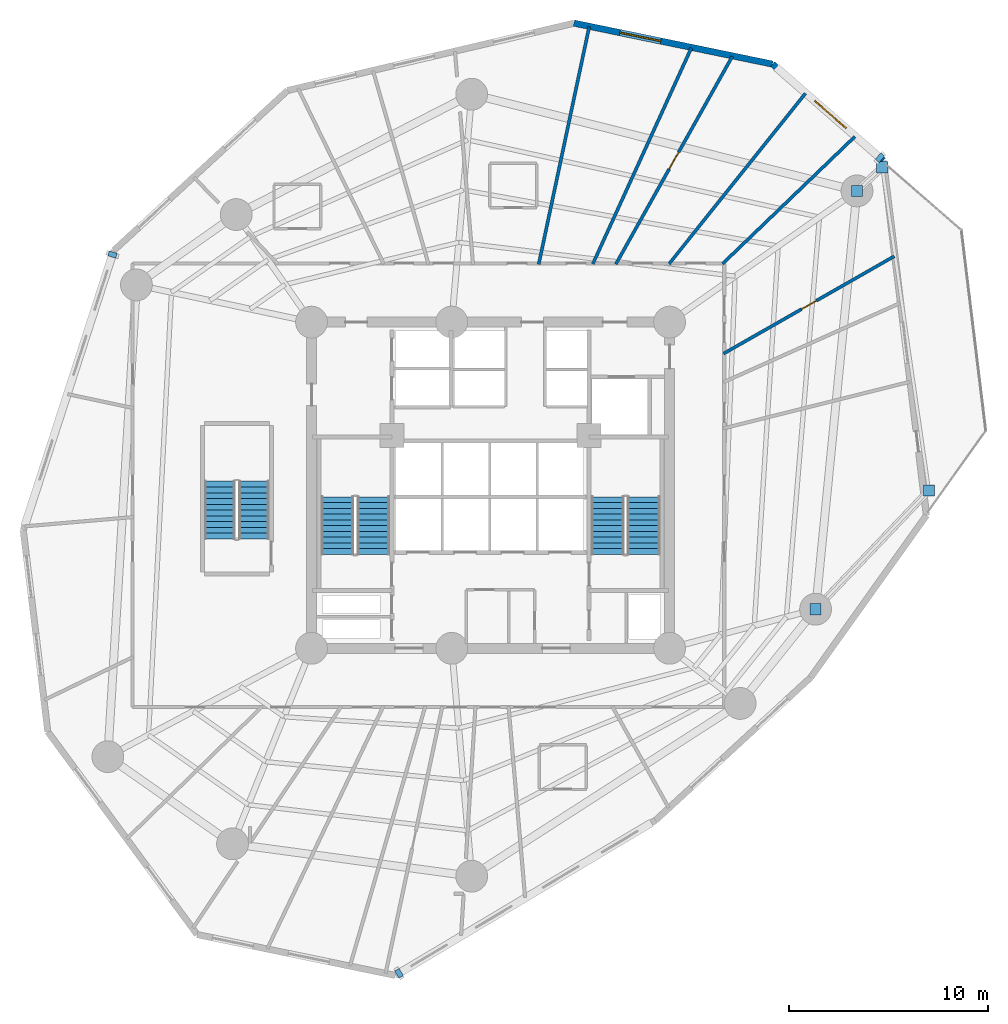
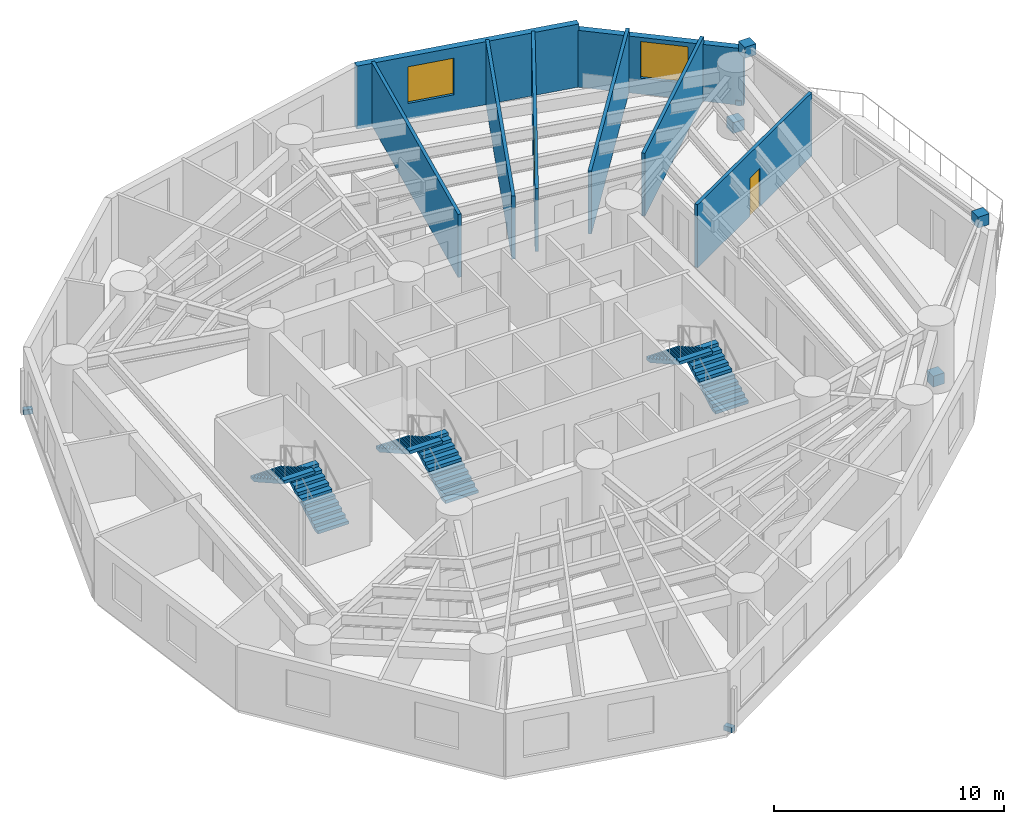
# One storey, part 7 of 10: 8 walls, 7 discrete accessories, 6 stair flights, 2 doors, 2 windows, 4 openings, 3 elements without a shape of their own.
"""IFC4 building model written with IfcOpenShell, lengths in metres."""

from ifc_helpers import new_model, si_unit, direction, frame, frame_2d, origin, origin_with_axes, origin_2d, place, context, subcontext, project, spatial, polyline, rectangle, outline, extrude, source, transform, mapped, material, layer, layer_set, type_object, element, fill, aggregate, save


model = new_model("IFC4")

# Units and contexts
model_context = context("Model", 3, precision=1e-05, world=origin(), true_north=direction((0.0, 1.0)))
body_context = subcontext(model_context, "Body", "Model", "MODEL_VIEW")
ifc_project = project(units=[si_unit("LENGTHUNIT", "METRE"), si_unit("AREAUNIT", "SQUARE_METRE"), si_unit("VOLUMEUNIT", "CUBIC_METRE"), si_unit("PLANEANGLEUNIT", "RADIAN"), si_unit("MASSUNIT", "GRAM", prefix="KILO")], contexts=[model_context])

# Site, building, storey
site_placement = place(None, origin())
site = spatial("IfcSite", under=ifc_project, at=site_placement, CompositionType="ELEMENT")
building_placement = place(site_placement, origin())
building = spatial("IfcBuilding", under=site, at=building_placement, Name="Karkom Vertical University and Central Library", CompositionType="ELEMENT")
storey_placement = place(building_placement, frame((0.0, 0.0, 66.10009765625)))
storey = spatial("IfcBuildingStorey", under=building, at=storey_placement, Name="L17", CompositionType="ELEMENT", Elevation=66.10009765625)

# Wall, opening, window
ifc_material_1 = material(Name="Brick-faced precast concrete C45/55", Category="masonry")
ifc_layer_1 = layer(ifc_material_1, 0.320068359375)
ifc_layer_set_1 = layer_set([ifc_layer_1], Name="Brick-faced precast concrete C45/55")
wall_type_1 = type_object("IfcWallType", Name="ENV-WL-BRK-320", PredefinedType="SOLIDWALL", material=ifc_layer_set_1)
wall_1_placement = place(storey_placement, frame((48.24267578125, 42.81982421875, 0.0), z_axis=(0.0, 0.0, 1.0), x_axis=(-0.753916755465, 0.656969958087, 0.0)))
wall_1 = element("IfcWall", 1, at=wall_1_placement, inside=storey, type_object=wall_type_1, Name="Level 17 Brick-Faced Precast Facade Wall 09", PredefinedType="SOLIDWALL", context=body_context, shape_type="SweptSolid", body=[
    extrude(rectangle(XDim=7.383544921875, YDim=0.320068359375, at=frame_2d((3.69189453125, 0.0))), origin(), (0.0, 0.0, 1.0), 3.02001953125),
])
opening_1_placement = place(wall_1_placement, frame((2.470458984375, 0.0, 0.85009765625)))
opening_1 = element("IfcOpeningElement", 2, at=opening_1_placement, cuts=wall_1, Name="Opening WN-03", PredefinedType="OPENING", context=body_context, shape_type="SweptSolid", body=[
    extrude(rectangle(XDim=2.10009765625, YDim=1.949951171875, at=frame_2d((1.050048828125, 0.97509765625))), frame((0.0, 0.169921875, 0.0), z_axis=(0.0, -1.0, 0.0), x_axis=(1.0, 0.0, 0.0)), (0.0, 0.0, 1.0), 0.340087890625),
])
ifc_material_2 = material(Name="Aluminium thermal-break frame with solar-control IGU", Category="aluminium")
window_type = type_object("IfcWindowType", Name="ENV-WIN-WN-03", PartitioningType="SINGLE_PANEL", PredefinedType="WINDOW", material=ifc_material_2)
shared_shape_1 = source(origin_with_axes(), body_context, "Body", "SweptSolid", [
    extrude(rectangle(XDim=2.10009765625, YDim=1.949951171875, at=frame_2d((1.050048828125, 0.97509765625))), frame((0.0, 0.030029296875, 0.0), z_axis=(0.0, -1.0, 0.0), x_axis=(1.0, 0.0, 0.0)), (0.0, 0.0, 1.0), 0.06005859375),
])
window_1_placement = place(opening_1_placement, origin())
window_1 = element("IfcWindow", 3, at=window_1_placement, inside=storey, type_object=window_type, Name="Level 17 Punched Window 9.1", OverallHeight=1.949951171875, OverallWidth=2.10009765625, PartitioningType="SINGLE_PANEL", PredefinedType="WINDOW", context=body_context, shape_type="MappedRepresentation", body=[
    mapped(shared_shape_1, transform((0.0, 0.0, 0.0), scale=1.0)),
])
fill(opening_1, window_1)

wall_2_placement = place(storey_placement, frame((42.676025390625, 47.670654296875, 0.0), z_axis=(0.0, 0.0, 1.0), x_axis=(-0.979362200274, 0.20211303935, 0.0)))
wall_2 = element("IfcWall", 4, at=wall_2_placement, inside=storey, type_object=wall_type_1, Name="Level 17 Brick-Faced Precast Facade Wall 10", PredefinedType="SOLIDWALL", context=body_context, shape_type="SweptSolid", body=[
    extrude(rectangle(XDim=10.195068359375, YDim=0.320068359375, at=frame_2d((5.09765625, 0.0))), origin(), (0.0, 0.0, 1.0), 3.349853515625),
])
opening_2_placement = place(wall_2_placement, frame((5.73779296875, 0.0, 0.85009765625)))
opening_2 = element("IfcOpeningElement", 5, at=opening_2_placement, cuts=wall_2, Name="Opening WN-03", PredefinedType="OPENING", context=body_context, shape_type="SweptSolid", body=[
    extrude(rectangle(XDim=2.10009765625, YDim=1.949951171875, at=frame_2d((1.050048828125, 0.97509765625))), frame((0.0, 0.169921875, 0.0), z_axis=(0.0, -1.0, 0.0), x_axis=(1.0, 0.0, 0.0)), (0.0, 0.0, 1.0), 0.340087890625),
])
window_2_placement = place(opening_2_placement, origin())
window_2 = element("IfcWindow", 6, at=window_2_placement, inside=storey, type_object=window_type, Name="Level 17 Punched Window 10.1", OverallHeight=1.949951171875, OverallWidth=2.10009765625, PartitioningType="SINGLE_PANEL", PredefinedType="WINDOW", context=body_context, shape_type="MappedRepresentation", body=[
    mapped(shared_shape_1, transform((0.0, 0.0, 0.0), scale=1.0)),
])
fill(opening_2, window_2)

# Wall
ifc_material_3 = material(Name="Insulated metal-stud drywall 160mm", Category="gypsum")
ifc_layer_2 = layer(ifc_material_3, 0.159912109375)
ifc_layer_set_2 = layer_set([ifc_layer_2], Name="Insulated metal-stud drywall 160mm")
wall_type_2 = type_object("IfcWallType", Name="INT-WL-COR-160", PredefinedType="PARTITIONING", material=ifc_layer_set_2)
wall_3_placement = place(storey_placement, frame((30.92138671875, 37.60595703125, 0.0), z_axis=(0.0, 0.0, 1.0), x_axis=(0.207881716817, 0.978153971424, 0.0)))
element("IfcWall", 7, at=wall_3_placement, inside=storey, type_object=wall_type_2, Name="Level 17 Interior Partition Wall L17-PW-022", PredefinedType="PARTITIONING", context=body_context, shape_type="SweptSolid", body=[
    extrude(rectangle(XDim=12.2080078125, YDim=0.159912109375, at=frame_2d((6.10400390625, 0.0))), origin(), (0.0, 0.0, 1.0), 3.349853515625),
])

# Wall, opening, door
wall_4_placement = place(storey_placement, frame((34.797119140625, 37.610595703125, 0.0), z_axis=(0.0, 0.0, 1.0), x_axis=(0.488977567901, 0.872296359094, 0.0)))
wall_4 = element("IfcWall", 8, at=wall_4_placement, inside=storey, type_object=wall_type_2, Name="Level 17 Interior Partition Wall L17-PW-020", PredefinedType="PARTITIONING", context=body_context, shape_type="SweptSolid", body=[
    extrude(rectangle(XDim=11.978515625, YDim=0.159912109375, at=frame_2d((5.9892578125, 0.0))), origin(), (0.0, 0.0, 1.0), 3.349853515625),
])
opening_3_placement = place(wall_4_placement, frame((5.489013671875, 0.0, 0.0)))
opening_3 = element("IfcOpeningElement", 9, at=opening_3_placement, cuts=wall_4, Name="Opening FD-RM2", PredefinedType="OPENING", context=body_context, shape_type="SweptSolid", body=[
    extrude(rectangle(XDim=0.9599609375, YDim=2.14990234375, at=frame_2d((0.47998046875, 1.074951171875))), frame((0.0, 0.08984375, 0.0), z_axis=(0.0, -1.0, 0.0), x_axis=(1.0, 0.0, 0.0)), (0.0, 0.0, 1.0), 0.179931640625),
])
ifc_material_4 = material(Name="Fire-rated oak veneer door", Category="wood")
door_type_1 = type_object("IfcDoorType", Name="INT-DR-FRM2", OperationType="NOTDEFINED", PredefinedType="DOOR", material=ifc_material_4)
shared_shape_2 = source(origin_with_axes(), body_context, "Body", "SweptSolid", [
    extrude(rectangle(XDim=0.9599609375, YDim=2.14990234375, at=frame_2d((0.47998046875, 1.074951171875))), frame((0.0, 0.02490234375, 0.0), z_axis=(0.0, -1.0, 0.0), x_axis=(1.0, 0.0, 0.0)), (0.0, 0.0, 1.0), 0.050048828125),
])
door_1_placement = place(opening_3_placement, origin())
door_1 = element("IfcDoor", 10, at=door_1_placement, inside=storey, type_object=door_type_1, Name="Level 17 Room Entry Door 170", OperationType="SINGLE_SWING_RIGHT", OverallHeight=2.14990234375, OverallWidth=0.9599609375, PredefinedType="DOOR", context=body_context, shape_type="MappedRepresentation", body=[
    mapped(shared_shape_2, transform((0.0, 0.0, 0.0), scale=1.0)),
])
fill(opening_3, door_1)

# Walls
wall_5_placement = place(storey_placement, frame((33.639892578125, 37.622802734375, 0.0), z_axis=(0.0, 0.0, 1.0), x_axis=(0.41503042051, 0.90980753462, 0.0)))
element("IfcWall", 11, at=wall_5_placement, inside=storey, type_object=wall_type_2, Name="Level 17 Interior Partition Wall L17-PW-021", PredefinedType="PARTITIONING", context=body_context, shape_type="SweptSolid", body=[
    extrude(rectangle(XDim=11.939697265625, YDim=0.159912109375, at=frame_2d((5.9697265625, 0.0))), origin(), (0.0, 0.0, 1.0), 3.349853515625),
])
wall_6_placement = place(storey_placement, frame((37.474609375, 37.626708984375, 0.0), z_axis=(0.0, 0.0, 1.0), x_axis=(0.62453496585, 0.780996847901, 0.0)))
element("IfcWall", 12, at=wall_6_placement, inside=storey, type_object=wall_type_2, Name="Level 17 Interior Partition Wall L17-PW-019", PredefinedType="PARTITIONING", context=body_context, shape_type="SweptSolid", body=[
    extrude(rectangle(XDim=10.97412109375, YDim=0.159912109375, at=frame_2d((5.487060546875, 0.0))), origin(), (0.0, 0.0, 1.0), 3.349853515625),
])

# Wall, opening, door
wall_7_placement = place(storey_placement, frame((40.2109375, 33.11279296875, 0.0), z_axis=(0.0, 0.0, 1.0), x_axis=(0.868569695906, 0.49556703215, 0.0)))
wall_7 = element("IfcWall", 13, at=wall_7_placement, inside=storey, type_object=wall_type_2, Name="Level 17 Interior Partition Wall L17-PW-017", PredefinedType="PARTITIONING", context=body_context, shape_type="SweptSolid", body=[
    extrude(rectangle(XDim=9.885986328125, YDim=0.159912109375, at=frame_2d((4.94287109375, 0.0))), origin(), (0.0, 0.0, 1.0), 3.349853515625),
])
opening_4_placement = place(wall_7_placement, frame((4.51318359375, 0.0, 0.0)))
opening_4 = element("IfcOpeningElement", 14, at=opening_4_placement, cuts=wall_7, Name="Opening FD-BTH2", PredefinedType="OPENING", context=body_context, shape_type="SweptSolid", body=[
    extrude(rectangle(XDim=0.860107421875, YDim=2.0400390625, at=frame_2d((0.43017578125, 1.02001953125))), frame((0.0, 0.08984375, 0.0), z_axis=(0.0, -1.0, 0.0), x_axis=(1.0, 0.0, 0.0)), (0.0, 0.0, 1.0), 0.179931640625),
])
ifc_material_5 = material(Name="Fire-rated moisture-resistant oak door", Category="wood")
door_type_2 = type_object("IfcDoorType", Name="INT-DR-FBTH2", OperationType="NOTDEFINED", PredefinedType="DOOR", material=ifc_material_5)
shared_shape_3 = source(origin_with_axes(), body_context, "Body", "SweptSolid", [
    extrude(rectangle(XDim=0.860107421875, YDim=2.0400390625, at=frame_2d((0.43017578125, 1.02001953125))), frame((0.0, 0.02490234375, 0.0), z_axis=(0.0, -1.0, 0.0), x_axis=(1.0, 0.0, 0.0)), (0.0, 0.0, 1.0), 0.050048828125),
])
door_2_placement = place(opening_4_placement, origin())
door_2 = element("IfcDoor", 15, at=door_2_placement, inside=storey, type_object=door_type_2, Name="Level 17 Academic Servery Tea Pantry Entry Door", OperationType="SINGLE_SWING_RIGHT", OverallHeight=2.0400390625, OverallWidth=0.860107421875, PredefinedType="DOOR", context=body_context, shape_type="MappedRepresentation", body=[
    mapped(shared_shape_3, transform((0.0, 0.0, 0.0), scale=1.0)),
])
fill(opening_4, door_2)

# Wall
wall_8_placement = place(storey_placement, frame((40.1611328125, 37.629150390625, 0.0), z_axis=(0.0, 0.0, 1.0), x_axis=(0.720839161992, 0.693102375222, 0.0)))
element("IfcWall", 16, at=wall_8_placement, inside=storey, type_object=wall_type_2, Name="Level 17 Interior Partition Wall L17-PW-018", PredefinedType="PARTITIONING", context=body_context, shape_type="SweptSolid", body=[
    extrude(rectangle(XDim=9.2333984375, YDim=0.159912109375, at=frame_2d((4.61669921875, 0.0))), origin(), (0.0, 0.0, 1.0), 3.349853515625),
])

# Stair, stair flights
ifc_material_6 = material(Name="Concrete C45/55", Category="concrete")
stair_type_1 = type_object("IfcStairType", Name="INT-STR-ST-MAIN", PredefinedType="HALF_TURN_STAIR", material=ifc_material_6)
stair_1_placement = place(storey_placement, origin())
stair_1 = element("IfcStair", 17, at=stair_1_placement, inside=storey, type_object=stair_type_1, Name="Level 17 Tower Protected Exit Stair ST-1", PredefinedType="HALF_TURN_STAIR")
stair_flight_type_1 = type_object("IfcStairFlightType", Name="INT-SFL-ST-MAIN", PredefinedType="STRAIGHT", material=ifc_material_6)
stair_flight_1_placement = place(storey_placement, frame((22.614990234375, 23.02001953125, 0.0), z_axis=(0.0, 0.0, 1.0), x_axis=(0.0, 1.0, 0.0)))
stair_flight_1 = element("IfcStairFlight", 18, at=stair_flight_1_placement, type_object=stair_flight_type_1, Name="ST-1 flight 1", NumberOfRisers=11, NumberOfTreads=10, PredefinedType="STRAIGHT", RiserHeight=0.163636364, TreadLength=0.29, context=body_context, shape_type="SweptSolid", body=[
    extrude(outline(polyline([(0.0, 0.0), (0.0, 0.16357421875), (0.2900390625, 0.16357421875), (0.2900390625, 0.327392578125), (0.580078125, 0.327392578125), (0.580078125, 0.490966796875), (0.8701171875, 0.490966796875), (0.8701171875, 0.654541015625), (1.159912109375, 0.654541015625), (1.159912109375, 0.818115234375), (1.449951171875, 0.818115234375), (1.449951171875, 0.98193359375), (1.739990234375, 0.98193359375), (1.739990234375, 1.1455078125), (2.030029296875, 1.1455078125), (2.030029296875, 1.30908203125), (2.320068359375, 1.30908203125), (2.320068359375, 1.47265625), (2.610107421875, 1.47265625), (2.610107421875, 1.636474609375), (2.89990234375, 1.636474609375), (2.89990234375, 1.800048828125), (2.89990234375, 1.46435546875), (0.304931640625, 0.0), (0.0, 0.0)])), frame((0.0, 0.824951171875, 0.0), z_axis=(0.0, -1.0, 0.0), x_axis=(1.0, 0.0, 0.0)), (0.0, 0.0, 1.0), 1.64990234375),
])
stair_flight_2_placement = place(storey_placement, frame((20.804931640625, 25.919921875, 1.7998046875), z_axis=(0.0, 0.0, 1.0), x_axis=(0.0, -1.0, 0.0)))
stair_flight_2 = element("IfcStairFlight", 19, at=stair_flight_2_placement, type_object=stair_flight_type_1, Name="ST-1 flight 2", NumberOfRisers=11, NumberOfTreads=10, PredefinedType="STRAIGHT", RiserHeight=0.163636364, TreadLength=0.29, context=body_context, shape_type="SweptSolid", body=[
    extrude(outline(polyline([(0.0, 0.0), (0.0, 0.16357421875), (0.2900390625, 0.16357421875), (0.2900390625, 0.327392578125), (0.580078125, 0.327392578125), (0.580078125, 0.490966796875), (0.8701171875, 0.490966796875), (0.8701171875, 0.654541015625), (1.159912109375, 0.654541015625), (1.159912109375, 0.818115234375), (1.449951171875, 0.818115234375), (1.449951171875, 0.98193359375), (1.739990234375, 0.98193359375), (1.739990234375, 1.1455078125), (2.030029296875, 1.1455078125), (2.030029296875, 1.30908203125), (2.320068359375, 1.30908203125), (2.320068359375, 1.47265625), (2.610107421875, 1.47265625), (2.610107421875, 1.636474609375), (2.89990234375, 1.636474609375), (2.89990234375, 1.800048828125), (2.89990234375, 1.46435546875), (0.304931640625, 0.0), (0.0, 0.0)])), frame((0.0, 0.824951171875, 0.0), z_axis=(0.0, -1.0, 0.0), x_axis=(1.0, 0.0, 0.0)), (0.0, 0.0, 1.0), 1.64990234375),
])
aggregate(stair_1, [stair_flight_1, stair_flight_2])

stair_2_placement = place(storey_placement, origin())
stair_2 = element("IfcStair", 20, at=stair_2_placement, inside=storey, type_object=stair_type_1, Name="Level 17 Tower Protected Exit Stair ST-2", PredefinedType="HALF_TURN_STAIR")
stair_flight_3_placement = place(storey_placement, frame((36.195068359375, 23.02001953125, 0.0), z_axis=(0.0, 0.0, 1.0), x_axis=(0.0, 1.0, 0.0)))
stair_flight_3 = element("IfcStairFlight", 21, at=stair_flight_3_placement, type_object=stair_flight_type_1, Name="ST-2 flight 1", NumberOfRisers=11, NumberOfTreads=10, PredefinedType="STRAIGHT", RiserHeight=0.163636364, TreadLength=0.29, context=body_context, shape_type="SweptSolid", body=[
    extrude(outline(polyline([(0.0, 0.0), (0.0, 0.16357421875), (0.2900390625, 0.16357421875), (0.2900390625, 0.327392578125), (0.580078125, 0.327392578125), (0.580078125, 0.490966796875), (0.8701171875, 0.490966796875), (0.8701171875, 0.654541015625), (1.159912109375, 0.654541015625), (1.159912109375, 0.818115234375), (1.449951171875, 0.818115234375), (1.449951171875, 0.98193359375), (1.739990234375, 0.98193359375), (1.739990234375, 1.1455078125), (2.030029296875, 1.1455078125), (2.030029296875, 1.30908203125), (2.320068359375, 1.30908203125), (2.320068359375, 1.47265625), (2.610107421875, 1.47265625), (2.610107421875, 1.636474609375), (2.89990234375, 1.636474609375), (2.89990234375, 1.800048828125), (2.89990234375, 1.46435546875), (0.304931640625, 0.0), (0.0, 0.0)])), frame((0.0, 0.824951171875, 0.0), z_axis=(0.0, -1.0, 0.0), x_axis=(1.0, 0.0, 0.0)), (0.0, 0.0, 1.0), 1.64990234375),
])
stair_flight_4_placement = place(storey_placement, frame((34.385009765625, 25.919921875, 1.7998046875), z_axis=(0.0, 0.0, 1.0), x_axis=(0.0, -1.0, 0.0)))
stair_flight_4 = element("IfcStairFlight", 22, at=stair_flight_4_placement, type_object=stair_flight_type_1, Name="ST-2 flight 2", NumberOfRisers=11, NumberOfTreads=10, PredefinedType="STRAIGHT", RiserHeight=0.163636364, TreadLength=0.29, context=body_context, shape_type="SweptSolid", body=[
    extrude(outline(polyline([(0.0, 0.0), (0.0, 0.16357421875), (0.2900390625, 0.16357421875), (0.2900390625, 0.327392578125), (0.580078125, 0.327392578125), (0.580078125, 0.490966796875), (0.8701171875, 0.490966796875), (0.8701171875, 0.654541015625), (1.159912109375, 0.654541015625), (1.159912109375, 0.818115234375), (1.449951171875, 0.818115234375), (1.449951171875, 0.98193359375), (1.739990234375, 0.98193359375), (1.739990234375, 1.1455078125), (2.030029296875, 1.1455078125), (2.030029296875, 1.30908203125), (2.320068359375, 1.30908203125), (2.320068359375, 1.47265625), (2.610107421875, 1.47265625), (2.610107421875, 1.636474609375), (2.89990234375, 1.636474609375), (2.89990234375, 1.800048828125), (2.89990234375, 1.46435546875), (0.304931640625, 0.0), (0.0, 0.0)])), frame((0.0, 0.824951171875, 0.0), z_axis=(0.0, -1.0, 0.0), x_axis=(1.0, 0.0, 0.0)), (0.0, 0.0, 1.0), 1.64990234375),
])
aggregate(stair_2, [stair_flight_3, stair_flight_4])

stair_type_2 = type_object("IfcStairType", Name="INT-STR-ST-SEC", PredefinedType="HALF_TURN_STAIR", material=ifc_material_6)
stair_3_placement = place(storey_placement, origin())
stair_3 = element("IfcStair", 23, at=stair_3_placement, inside=storey, type_object=stair_type_2, Name="Level 17 Academic Zone Protected Exit Stair ST-3", PredefinedType="HALF_TURN_STAIR")
stair_flight_type_2 = type_object("IfcStairFlightType", Name="INT-SFL-ST-SEC", PredefinedType="STRAIGHT", material=ifc_material_6)
stair_flight_5_placement = place(storey_placement, frame((16.60498046875, 23.800048828125, 0.0), z_axis=(0.0, 0.0, 1.0), x_axis=(0.0, 1.0, 0.0)))
stair_flight_5 = element("IfcStairFlight", 24, at=stair_flight_5_placement, type_object=stair_flight_type_2, Name="ST-3 flight 1", NumberOfRisers=11, NumberOfTreads=10, PredefinedType="STRAIGHT", RiserHeight=0.163636364, TreadLength=0.29, context=body_context, shape_type="SweptSolid", body=[
    extrude(outline(polyline([(0.0, 0.0), (0.0, 0.16357421875), (0.2900390625, 0.16357421875), (0.2900390625, 0.327392578125), (0.580078125, 0.327392578125), (0.580078125, 0.490966796875), (0.8701171875, 0.490966796875), (0.8701171875, 0.654541015625), (1.159912109375, 0.654541015625), (1.159912109375, 0.818115234375), (1.449951171875, 0.818115234375), (1.449951171875, 0.98193359375), (1.739990234375, 0.98193359375), (1.739990234375, 1.1455078125), (2.030029296875, 1.1455078125), (2.030029296875, 1.30908203125), (2.320068359375, 1.30908203125), (2.320068359375, 1.47265625), (2.610107421875, 1.47265625), (2.610107421875, 1.636474609375), (2.89990234375, 1.636474609375), (2.89990234375, 1.800048828125), (2.89990234375, 1.46435546875), (0.304931640625, 0.0), (0.0, 0.0)])), frame((0.0, 0.77490234375, 0.0), z_axis=(0.0, -1.0, 0.0), x_axis=(1.0, 0.0, 0.0)), (0.0, 0.0, 1.0), 1.550048828125),
])
stair_flight_6_placement = place(storey_placement, frame((14.89501953125, 26.699951171875, 1.7998046875), z_axis=(0.0, 0.0, 1.0), x_axis=(0.0, -1.0, 0.0)))
stair_flight_6 = element("IfcStairFlight", 25, at=stair_flight_6_placement, type_object=stair_flight_type_2, Name="ST-3 flight 2", NumberOfRisers=11, NumberOfTreads=10, PredefinedType="STRAIGHT", RiserHeight=0.163636364, TreadLength=0.29, context=body_context, shape_type="SweptSolid", body=[
    extrude(outline(polyline([(0.0, 0.0), (0.0, 0.16357421875), (0.2900390625, 0.16357421875), (0.2900390625, 0.327392578125), (0.580078125, 0.327392578125), (0.580078125, 0.490966796875), (0.8701171875, 0.490966796875), (0.8701171875, 0.654541015625), (1.159912109375, 0.654541015625), (1.159912109375, 0.818115234375), (1.449951171875, 0.818115234375), (1.449951171875, 0.98193359375), (1.739990234375, 0.98193359375), (1.739990234375, 1.1455078125), (2.030029296875, 1.1455078125), (2.030029296875, 1.30908203125), (2.320068359375, 1.30908203125), (2.320068359375, 1.47265625), (2.610107421875, 1.47265625), (2.610107421875, 1.636474609375), (2.89990234375, 1.636474609375), (2.89990234375, 1.800048828125), (2.89990234375, 1.46435546875), (0.304931640625, 0.0), (0.0, 0.0)])), frame((0.0, 0.77490234375, 0.0), z_axis=(0.0, -1.0, 0.0), x_axis=(1.0, 0.0, 0.0)), (0.0, 0.0, 1.0), 1.550048828125),
])
aggregate(stair_3, [stair_flight_5, stair_flight_6])

# Discrete accessories
ifc_material_7 = material(Name="Ductile cast iron EN-GJS-400-15", Category="metal")
discrete_accessory_type_1 = type_object("IfcDiscreteAccessoryType", Name="STR-ACC-NODECAP", PredefinedType="BRACKET", material=ifc_material_7)
shared_shape_4 = source(origin_with_axes(), body_context, "Body", "SweptSolid", [
    extrude(rectangle(XDim=0.56005859375, YDim=0.56005859375, at=origin_2d()), origin(), (0.0, 0.0, 1.0), 0.580078125),
])
for number, where, z_axis, x_axis, name in (
    (26, (44.841064453125, 20.26708984375, 0.059814453125), (0.0, 0.0, 1.0), (1.0, 0.0, 0.0), "Level 17 Cast Node Connector L17-SKG-KNEE-1 A"),
    (27, (50.5419921875, 26.24169921875, 2.894775390625), (0.0, 0.0, 1.0), (1.0, 0.0, 0.0), "Level 17 Cast Node Connector L17-SKG-KNEE-1 B"),
    (28, (46.919921875, 41.2958984375, 0.059814453125), (0.0, 0.0, 1.0), (1.0, 0.0, 0.0), "Level 17 Cast Node Connector L17-SKG-KNEE-2 A"),
    (29, (48.19140625, 42.48681640625, 2.894775390625), (0.0, 0.0, 1.0), (1.0, 0.0, 0.0), "Level 17 Cast Node Connector L17-SKG-KNEE-2 B"),
):
    element("IfcDiscreteAccessory", number, at=place(storey_placement, frame(where, z_axis=z_axis, x_axis=x_axis)), inside=storey, type_object=discrete_accessory_type_1, Name=name, PredefinedType="BRACKET", context=body_context, shape_type="MappedRepresentation", body=[
        mapped(shared_shape_4, transform((0.0, 0.0, 0.0), scale=1.0)),
    ])
ifc_material_8 = material(Name="Austenitic stainless steel 316", Category="steel")
discrete_accessory_type_2 = type_object("IfcDiscreteAccessoryType", Name="INT-ACC-BRACKET", PredefinedType="BRACKET", material=ifc_material_8)
shared_shape_5 = source(origin_with_axes(), body_context, "Body", "SweptSolid", [
    extrude(rectangle(XDim=0.260009765625, YDim=0.419921875, at=origin_2d()), origin(), (0.0, 0.0, 1.0), 0.260009765625),
])
for number, where, z_axis, x_axis, name in (
    (30, (9.4912109375, 38.0966796875, 0.0), (0.0, 0.0, 1.0), (-0.308020881065, -0.951379596601, 0.0), "Level 17 Sun-Breaker Stainless Corbel Bracket 07"),
    (31, (23.89892578125, 1.962646484375, 0.0), (0.0, 0.0, 1.0), (0.858959896931, 0.512042864871, 0.0), "Level 17 Sun-Breaker Stainless Corbel Bracket 08"),
    (32, (48.07666015625, 42.96435546875, 0.0), (0.0, 0.0, 1.0), (-0.753907489863, 0.656980590831, 0.0), "Level 17 Sun-Breaker Stainless Corbel Bracket 09"),
):
    element("IfcDiscreteAccessory", number, at=place(storey_placement, frame(where, z_axis=z_axis, x_axis=x_axis)), inside=storey, type_object=discrete_accessory_type_2, Name=name, PredefinedType="BRACKET", context=body_context, shape_type="MappedRepresentation", body=[
        mapped(shared_shape_5, transform((0.0, 0.0, 0.0), scale=1.0)),
    ])

save(model, "model.ifc")
